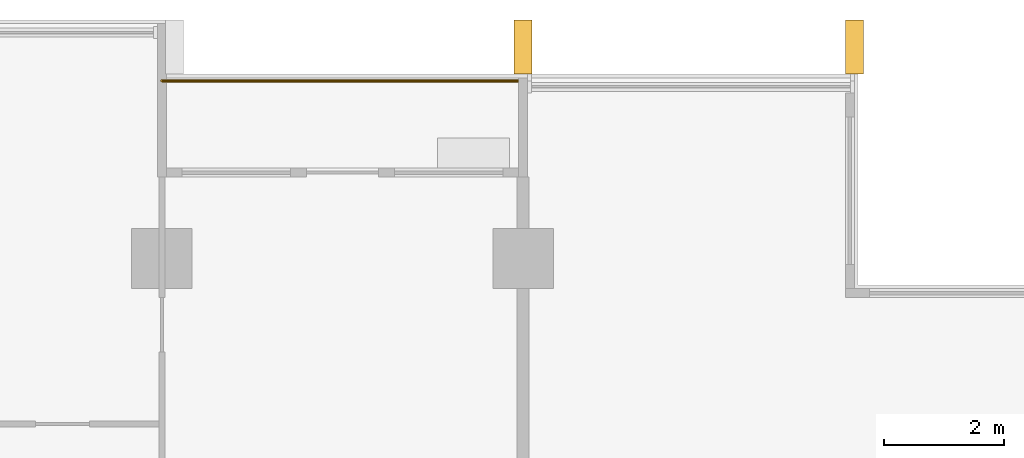
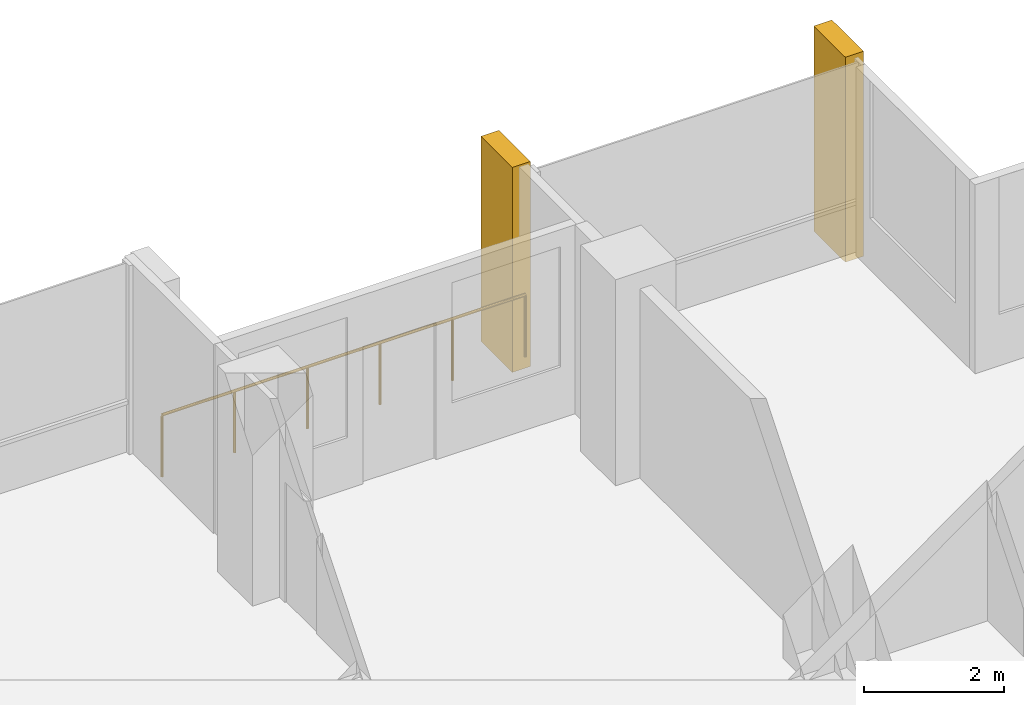
# One storey, part 19 of 19: 2 shading devices, 1 railing.
"""IFC4 building model written with IfcOpenShell, lengths in metres."""

from ifc_helpers import new_model, si_unit, direction, frame, origin, origin_2d, place, context, subcontext, project, spatial, rectangle, circle, extrude, material, type_object, element, save


model = new_model("IFC4")

# Units and contexts
model_context = context("Model", 3, precision=1e-05, world=origin(), true_north=direction((0.0, 1.0)))
body_context = subcontext(model_context, "Body", "Model", "MODEL_VIEW")
ifc_project = project(units=[si_unit("LENGTHUNIT", "METRE"), si_unit("AREAUNIT", "SQUARE_METRE"), si_unit("VOLUMEUNIT", "CUBIC_METRE"), si_unit("PLANEANGLEUNIT", "RADIAN"), si_unit("MASSUNIT", "GRAM", prefix="KILO")], contexts=[model_context])

# Site, building, storey
site_placement = place(None, origin())
site = spatial("IfcSite", under=ifc_project, at=site_placement, CompositionType="ELEMENT")
building_placement = place(site_placement, origin())
building = spatial("IfcBuilding", under=site, at=building_placement, Name="Finial Court Residences", CompositionType="ELEMENT")
storey_placement = place(building_placement, frame((0.0, 0.0, 88.300048828125)))
storey = spatial("IfcBuildingStorey", under=building, at=storey_placement, Name="L21", CompositionType="ELEMENT", Elevation=88.300048828125)

# Railing
ifc_material_1 = material(Name="Bronze anodised aluminium", Category="aluminium")
railing_type = type_object("IfcRailingType", Name="Balcony guard 1100", PredefinedType="GUARDRAIL", material=ifc_material_1)
railing_placement = place(storey_placement, frame((10.5, 22.449951171875, 0.0)))
element("IfcRailing", 1, at=railing_placement, inside=storey, type_object=railing_type, Name="E-L21-BALN6-R", PredefinedType="GUARDRAIL", context=body_context, shape_type="SweptSolid", body=[
    extrude(circle(Radius=0.02392578125, at=origin_2d()), frame((0.0, 0.0, 1.076171875), z_axis=(1.0, 0.0, 0.0), x_axis=(0.0, 1.0, 0.0)), (0.0, 0.0, 1.0), 6.0),
    extrude(circle(Radius=0.02099609375, at=origin_2d()), origin(), (0.0, 0.0, 1.0), 1.052001953125),
    extrude(circle(Radius=0.02099609375, at=origin_2d()), frame((1.199951171875, 0.0, 0.0)), (0.0, 0.0, 1.0), 1.052001953125),
    extrude(circle(Radius=0.02099609375, at=origin_2d()), frame((2.39990234375, 0.0, 0.0)), (0.0, 0.0, 1.0), 1.052001953125),
    extrude(circle(Radius=0.02099609375, at=origin_2d()), frame((3.60009765625, 0.0, 0.0)), (0.0, 0.0, 1.0), 1.052001953125),
    extrude(circle(Radius=0.02099609375, at=origin_2d()), frame((4.800048828125, 0.0, 0.0)), (0.0, 0.0, 1.0), 1.052001953125),
    extrude(circle(Radius=0.02099609375, at=origin_2d()), frame((6.0, 0.0, 0.0)), (0.0, 0.0, 1.0), 1.052001953125),
])

# Shading devices
ifc_material_2 = material(Name="Natural limestone", Category="masonry")
shading_device_type = type_object("IfcShadingDeviceType", Name="Limestone fin 300 x 900", PredefinedType="USERDEFINED", material=ifc_material_2)
for number, where, z_axis, x_axis, name in (
    (2, (16.5, 23.010009765625, -0.300048828125), (0.0, 0.0, 1.0), (1.0, 0.0, 0.0), "E-L21-FIN-N7"),
    (3, (22.0, 23.010009765625, -0.300048828125), (0.0, 0.0, 1.0), (1.0, 0.0, 0.0), "E-L21-FIN-N8"),
):
    element("IfcShadingDevice", number, at=place(storey_placement, frame(where, z_axis=z_axis, x_axis=x_axis)), inside=storey, type_object=shading_device_type, Name=name, ObjectType="FIN", PredefinedType="USERDEFINED", context=body_context, shape_type="SweptSolid", body=[
        extrude(rectangle(XDim=0.300048828125, YDim=0.89990234375, at=origin_2d()), origin(), (0.0, 0.0, 1.0), 3.580078125),
    ])

save(model, "model.ifc")
